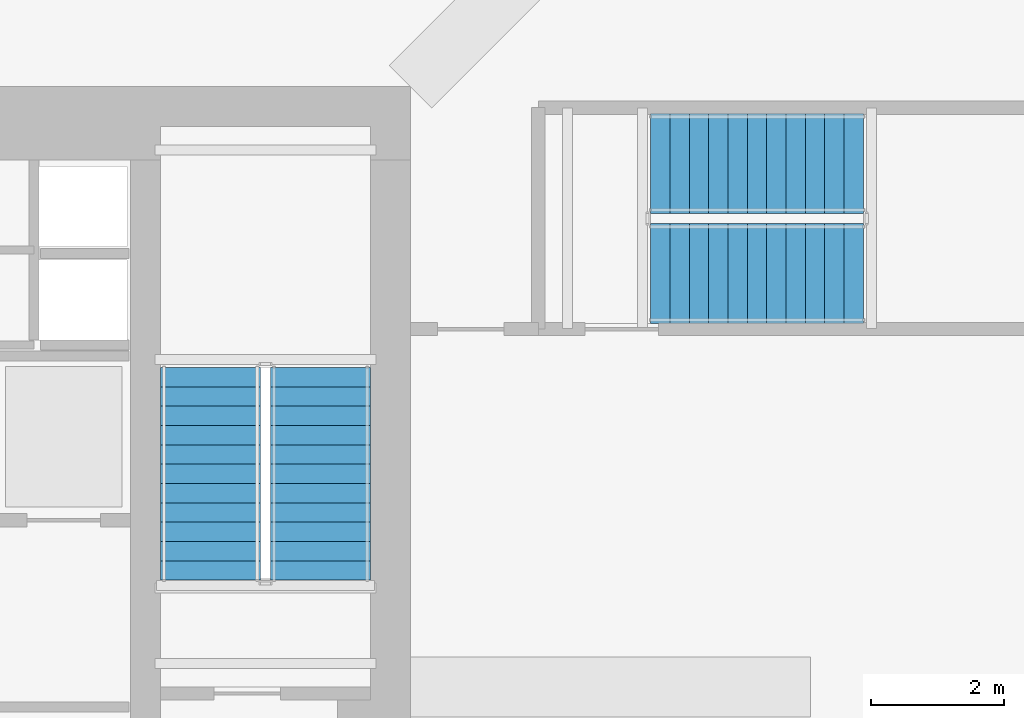
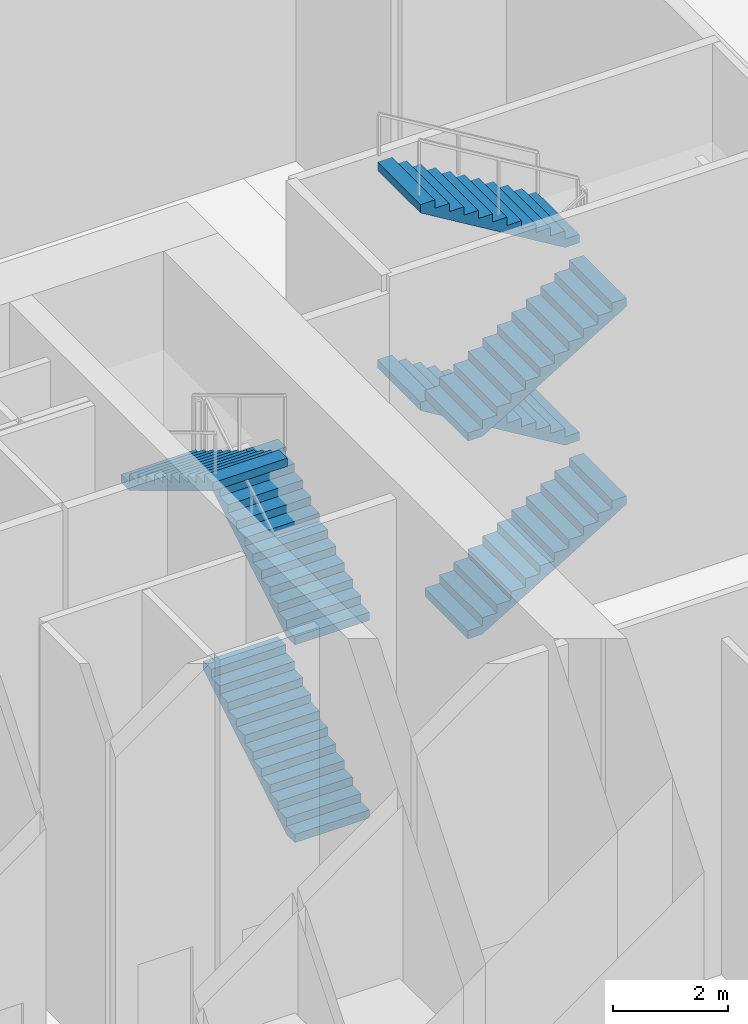
# One storey, part 9 of 12: 7 stair flights, 2 elements without a shape of their own.
"""IFC4 building model written with IfcOpenShell, lengths in metres."""

import ifcopenshell
import ifcopenshell.guid

model = None  # the IFC model being written
_history = None  # IfcOwnerHistory: only IFC2X3 demands one
_inside = {}  # id of a spatial element -> (the spatial element, [elements in it])
_under = {}  # id of a project, library or spatial element -> (it, [spatial elements below it])
_declared = {}  # id of a project -> (the project, [libraries it declares])
_typed = {}  # id of a type object -> (the type object, [elements of that type])
_made_of = {}  # id of a material, layer set ... -> (it, [elements and type objects made of it])


def new_model(schema):
    """Start an empty IFC model of exactly this schema.

    Asked for "IFC4X3", IfcOpenShell would pick the latest addendum, in which some entities
    have other attributes; the version numbers below select the first issue.
    IFC2X3 requires an IfcOwnerHistory on every rooted entity: one is made here for all.
    """
    global model, _history
    if schema == "IFC4X3":
        model = ifcopenshell.file(schema_version=(4, 3, 0, 0))
    else:
        model = ifcopenshell.file(schema=schema)
    _inside.clear()
    _under.clear()
    _declared.clear()
    _typed.clear()
    _made_of.clear()
    _history = None
    if model.schema == "IFC2X3":
        org = make("IfcOrganization", Name="unknown")
        user = make(
            "IfcPersonAndOrganization",
            ThePerson=make("IfcPerson", FamilyName="unknown"),
            TheOrganization=org,
        )
        app = make(
            "IfcApplication",
            ApplicationDeveloper=org,
            Version="unknown",
            ApplicationFullName="unknown",
            ApplicationIdentifier="unknown",
        )
        _history = make(
            "IfcOwnerHistory",
            OwningUser=user,
            OwningApplication=app,
            ChangeAction="ADDED",
            CreationDate=0,
        )
    return model


def make(cls, **values):
    """One entity of the class cls with the attributes given. An attribute that is None is left unset."""
    return model.create_entity(
        cls, **{name: value for name, value in values.items() if value is not None}
    )


def rooted(cls, **values):
    """An entity with a GlobalId (a new one), such as an element, a storey or a relation."""
    return make(cls, GlobalId=ifcopenshell.guid.new(), OwnerHistory=_history, **values)


def si_unit(unit_type, name, prefix=None):
    """IfcSIUnit, for example si_unit("LENGTHUNIT", "METRE", prefix="MILLI")."""
    return make("IfcSIUnit", UnitType=unit_type, Prefix=prefix, Name=name)


def assignment(units):
    """IfcUnitAssignment: the units of a project."""
    return None if units is None else make("IfcUnitAssignment", Units=units)


def point(xyz):
    """IfcCartesianPoint."""
    return None if xyz is None else make("IfcCartesianPoint", Coordinates=xyz)


def direction(xyz):
    """IfcDirection."""
    return None if xyz is None else make("IfcDirection", DirectionRatios=xyz)


def frame(location, z_axis=None, x_axis=None):
    """IfcAxis2Placement3D, a coordinate frame: its origin and axes. An axis left out is left unset."""
    return make(
        "IfcAxis2Placement3D",
        Location=point(location),
        Axis=direction(z_axis),
        RefDirection=direction(x_axis),
    )


def origin():
    """The frame at (0, 0, 0) with its axes left unset."""
    return frame((0.0, 0.0, 0.0))


def place(relative_to, where):
    """IfcLocalPlacement: puts the frame where relative to a parent placement (None: the world)."""
    return make(
        "IfcLocalPlacement", PlacementRelTo=relative_to, RelativePlacement=where
    )


def context(
    kind, dimensions, precision=None, world=None, true_north=None, identifier=None
):
    """IfcGeometricRepresentationContext, for example the 3D "Model" context."""
    return make(
        "IfcGeometricRepresentationContext",
        ContextIdentifier=identifier,
        ContextType=kind,
        CoordinateSpaceDimension=dimensions,
        Precision=precision,
        WorldCoordinateSystem=world,
        TrueNorth=true_north,
    )


def subcontext(parent, identifier, kind, view, scale=None):
    """IfcGeometricRepresentationSubContext, for example "Body" below "Model"."""
    return make(
        "IfcGeometricRepresentationSubContext",
        ContextIdentifier=identifier,
        ContextType=kind,
        ParentContext=parent,
        TargetScale=scale,
        TargetView=view,
    )


def project(units=None, contexts=None):
    """IfcProject with its units and contexts."""
    return rooted(
        "IfcProject",
        Name="project",
        RepresentationContexts=contexts,
        UnitsInContext=assignment(units),
    )


def spatial(cls, under=None, at=None, **own):
    """A site, building, storey or space (cls), placed at a placement, below another one or the project."""
    s = rooted(cls, ObjectPlacement=at, **own)
    if under is not None:
        _under.setdefault(under.id(), (under, []))[1].append(s)
    return s


def polyline(points):
    """IfcPolyline through the points."""
    return make("IfcPolyline", Points=[point(p) for p in points])


def outline(outer, holes=None, kind="AREA"):
    """IfcArbitraryClosedProfileDef: a profile drawn as a closed curve; with holes, ...WithVoids."""
    if holes is None:
        return make("IfcArbitraryClosedProfileDef", ProfileType=kind, OuterCurve=outer)
    return make(
        "IfcArbitraryProfileDefWithVoids",
        ProfileType=kind,
        OuterCurve=outer,
        InnerCurves=holes,
    )


def extrude(swept, where, along, depth):
    """IfcExtrudedAreaSolid: the profile swept, set in the frame where, extruded along a direction by depth."""
    return make(
        "IfcExtrudedAreaSolid",
        SweptArea=swept,
        Position=where,
        ExtrudedDirection=direction(along),
        Depth=depth,
    )


def shape(context_of_items, identifier, shape_type, items):
    """IfcShapeRepresentation: the items that make up one representation, for example the "Body"."""
    return make(
        "IfcShapeRepresentation",
        ContextOfItems=context_of_items,
        RepresentationIdentifier=identifier,
        RepresentationType=shape_type,
        Items=items,
    )


def material(Name=None, Category=None):
    """IfcMaterial."""
    return make("IfcMaterial", Name=Name, Category=Category)


def made_of(thing, what):
    """Note that an element or type object is made of a material, layer set ...; save() writes the relation."""
    if what is not None:
        _made_of.setdefault(what.id(), (what, []))[1].append(thing)
    return thing


def type_object(cls, material=None, **own):
    """A type object (cls), such as IfcWallType, which elements share."""
    return made_of(rooted(cls, **own), material)


def element(
    cls,
    number,
    at=None,
    inside=None,
    cuts=None,
    type_object=None,
    material=None,
    context=None,
    identifier="Body",
    shape_type=None,
    held_by="IfcProductDefinitionShape",
    body=None,
    shapes=None,
    **own,
):
    """One element of the class cls, such as IfcWall. Its Tag is "e" and its number.

    at: its placement. inside: the storey or other place that contains it. cuts: it is an
    opening in that element (IfcRelVoidsElement). A single representation is given by context,
    identifier, shape_type and body (its items); several are given by shapes. held_by: the class
    of the entity that holds the representations. save() writes the other relations.
    """
    e = rooted(cls, Tag="e%d" % number, ObjectPlacement=at, **own)
    if body is not None:
        shapes = [shape(context, identifier, shape_type, body)]
    if shapes is not None:
        e.Representation = make(held_by, Representations=shapes)
    if inside is not None:
        _inside.setdefault(inside.id(), (inside, []))[1].append(e)
    if cuts is not None:
        rooted(
            "IfcRelVoidsElement", RelatingBuildingElement=cuts, RelatedOpeningElement=e
        )
    if type_object is not None:
        _typed.setdefault(type_object.id(), (type_object, []))[1].append(e)
    return made_of(e, material)


def aggregate(whole, parts):
    """IfcRelAggregates: a whole, such as a stair, and the parts it consists of."""
    return rooted("IfcRelAggregates", RelatingObject=whole, RelatedObjects=parts)


def save(model, path):
    """Write the relations noted so far, then the file.

    IfcRelAggregates (storeys below a building ...), IfcRelContainedInSpatialStructure (elements
    in a storey), IfcRelDefinesByType, IfcRelAssociatesMaterial and IfcRelDeclares: one each for
    every whole, place, type object, material and project.
    """
    for whole, parts in _under.values():
        aggregate(whole, parts)
    for where, things in _inside.values():
        rooted(
            "IfcRelContainedInSpatialStructure",
            RelatedElements=things,
            RelatingStructure=where,
        )
    for kind, things in _typed.values():
        rooted("IfcRelDefinesByType", RelatedObjects=things, RelatingType=kind)
    for what, things in _made_of.values():
        rooted("IfcRelAssociatesMaterial", RelatedObjects=things, RelatingMaterial=what)
    for by, libraries in _declared.values():
        rooted("IfcRelDeclares", RelatingContext=by, RelatedDefinitions=libraries)
    model.write(path)


model = new_model("IFC4")

# Units and contexts
model_context = context("Model", 3, precision=1e-05, world=origin(), true_north=direction((0.0, 1.0)))
body_context = subcontext(model_context, "Body", "Model", "MODEL_VIEW")
ifc_project = project(units=[si_unit("LENGTHUNIT", "METRE"), si_unit("AREAUNIT", "SQUARE_METRE"), si_unit("VOLUMEUNIT", "CUBIC_METRE"), si_unit("PLANEANGLEUNIT", "RADIAN"), si_unit("MASSUNIT", "GRAM", prefix="KILO")], contexts=[model_context])

# Site, building, storey
site_placement = place(None, origin())
site = spatial("IfcSite", under=ifc_project, at=site_placement, CompositionType="ELEMENT")
building_placement = place(site_placement, origin())
building = spatial("IfcBuilding", under=site, at=building_placement, Name="Belovzor Exchange Tower", CompositionType="ELEMENT")
storey_placement = place(building_placement, origin())
storey = spatial("IfcBuildingStorey", under=building, at=storey_placement, Name="L01", CompositionType="ELEMENT", Elevation=0.0)

# Stair, stair flights
ifc_material_1 = material(Name="Concrete C40/50", Category="concrete")
stair_type_1 = type_object("IfcStairType", Name="Reinforced Concrete Podium Escape Stair 1400", PredefinedType="HALF_TURN_STAIR", material=ifc_material_1)
stair_1_placement = place(storey_placement, origin())
stair_1 = element("IfcStair", 1, at=stair_1_placement, inside=storey, type_object=stair_type_1, Name="L01 ST-4", PredefinedType="HALF_TURN_STAIR")
ifc_material_2 = material(Name="Concrete C40/50", Category="concrete")
stair_flight_type_1 = type_object("IfcStairFlightType", Name="Reinforced Concrete Podium Stair Flight 1400", PredefinedType="STRAIGHT", material=ifc_material_2)
stair_flight_1_placement = place(storey_placement, frame((41.39990234375, 35.0, 0.0), z_axis=(0.0, 0.0, 1.0), x_axis=(1.0, 0.0, 0.0)))
stair_flight_1 = element("IfcStairFlight", 2, at=stair_flight_1_placement, type_object=stair_flight_type_1, Name="ST-4 flight 1", NumberOfRisers=12, NumberOfTreads=11, PredefinedType="STRAIGHT", RiserHeight=0.175, TreadLength=0.29, context=body_context, shape_type="SweptSolid", body=[
    extrude(outline(polyline([(0.0, 0.0), (0.0, 0.175048828125), (0.2900390625, 0.175048828125), (0.2900390625, 0.35009765625), (0.580078125, 0.35009765625), (0.580078125, 0.52490234375), (0.8701171875, 0.52490234375), (0.8701171875, 0.699951171875), (1.159912109375, 0.699951171875), (1.159912109375, 0.875), (1.449951171875, 0.875), (1.449951171875, 1.050048828125), (1.739990234375, 1.050048828125), (1.739990234375, 1.22509765625), (2.030029296875, 1.22509765625), (2.030029296875, 1.39990234375), (2.320068359375, 1.39990234375), (2.320068359375, 1.574951171875), (2.610107421875, 1.574951171875), (2.610107421875, 1.75), (2.89990234375, 1.75), (2.89990234375, 1.925048828125), (3.18994140625, 1.925048828125), (3.18994140625, 2.10009765625), (3.18994140625, 1.75), (0.2900390625, 0.0), (0.0, 0.0)])), frame((0.0, 0.75, 0.0), z_axis=(0.0, -1.0, 0.0), x_axis=(1.0, 0.0, 0.0)), (0.0, 0.0, 1.0), 1.5),
])
stair_flight_2_placement = place(storey_placement, frame((44.590087890625, 36.64990234375, 2.10009765625), z_axis=(0.0, 0.0, 1.0), x_axis=(-1.0, 0.0, 0.0)))
stair_flight_2 = element("IfcStairFlight", 3, at=stair_flight_2_placement, type_object=stair_flight_type_1, Name="ST-4 flight 2", NumberOfRisers=12, NumberOfTreads=11, PredefinedType="STRAIGHT", RiserHeight=0.175, TreadLength=0.29, context=body_context, shape_type="SweptSolid", body=[
    extrude(outline(polyline([(0.0, 0.0), (0.0, 0.175048828125), (0.2900390625, 0.175048828125), (0.2900390625, 0.35009765625), (0.580078125, 0.35009765625), (0.580078125, 0.52490234375), (0.8701171875, 0.52490234375), (0.8701171875, 0.699951171875), (1.159912109375, 0.699951171875), (1.159912109375, 0.875), (1.449951171875, 0.875), (1.449951171875, 1.050048828125), (1.739990234375, 1.050048828125), (1.739990234375, 1.22509765625), (2.030029296875, 1.22509765625), (2.030029296875, 1.39990234375), (2.320068359375, 1.39990234375), (2.320068359375, 1.574951171875), (2.610107421875, 1.574951171875), (2.610107421875, 1.75), (2.89990234375, 1.75), (2.89990234375, 1.925048828125), (3.18994140625, 1.925048828125), (3.18994140625, 2.10009765625), (3.18994140625, 1.75), (0.2900390625, 0.0), (0.0, 0.0)])), frame((0.0, 0.75, 0.0), z_axis=(0.0, -1.0, 0.0), x_axis=(1.0, 0.0, 0.0)), (0.0, 0.0, 1.0), 1.5),
])
stair_flight_3_placement = place(storey_placement, frame((41.39990234375, 35.0, 4.199951171875), z_axis=(0.0, 0.0, 1.0), x_axis=(1.0, 0.0, 0.0)))
stair_flight_3 = element("IfcStairFlight", 4, at=stair_flight_3_placement, type_object=stair_flight_type_1, Name="ST-4 flight 3", NumberOfRisers=12, NumberOfTreads=11, PredefinedType="STRAIGHT", RiserHeight=0.175, TreadLength=0.29, context=body_context, shape_type="SweptSolid", body=[
    extrude(outline(polyline([(0.0, 0.0), (0.0, 0.175048828125), (0.2900390625, 0.175048828125), (0.2900390625, 0.35009765625), (0.580078125, 0.35009765625), (0.580078125, 0.52490234375), (0.8701171875, 0.52490234375), (0.8701171875, 0.699951171875), (1.159912109375, 0.699951171875), (1.159912109375, 0.875), (1.449951171875, 0.875), (1.449951171875, 1.050048828125), (1.739990234375, 1.050048828125), (1.739990234375, 1.22509765625), (2.030029296875, 1.22509765625), (2.030029296875, 1.39990234375), (2.320068359375, 1.39990234375), (2.320068359375, 1.574951171875), (2.610107421875, 1.574951171875), (2.610107421875, 1.75), (2.89990234375, 1.75), (2.89990234375, 1.925048828125), (3.18994140625, 1.925048828125), (3.18994140625, 2.10009765625), (3.18994140625, 1.75), (0.2900390625, 0.0), (0.0, 0.0)])), frame((0.0, 0.75, 0.0), z_axis=(0.0, -1.0, 0.0), x_axis=(1.0, 0.0, 0.0)), (0.0, 0.0, 1.0), 1.5),
])
stair_flight_4_placement = place(storey_placement, frame((44.590087890625, 36.64990234375, 6.300048828125), z_axis=(0.0, 0.0, 1.0), x_axis=(-1.0, 0.0, 0.0)))
stair_flight_4 = element("IfcStairFlight", 5, at=stair_flight_4_placement, type_object=stair_flight_type_1, Name="ST-4 flight 4", NumberOfRisers=12, NumberOfTreads=11, PredefinedType="STRAIGHT", RiserHeight=0.175, TreadLength=0.29, context=body_context, shape_type="SweptSolid", body=[
    extrude(outline(polyline([(0.0, 0.0), (0.0, 0.175048828125), (0.2900390625, 0.175048828125), (0.2900390625, 0.35009765625), (0.580078125, 0.35009765625), (0.580078125, 0.52490234375), (0.8701171875, 0.52490234375), (0.8701171875, 0.699951171875), (1.159912109375, 0.699951171875), (1.159912109375, 0.875), (1.449951171875, 0.875), (1.449951171875, 1.050048828125), (1.739990234375, 1.050048828125), (1.739990234375, 1.22509765625), (2.030029296875, 1.22509765625), (2.030029296875, 1.39990234375), (2.320068359375, 1.39990234375), (2.320068359375, 1.574951171875), (2.610107421875, 1.574951171875), (2.610107421875, 1.75), (2.89990234375, 1.75), (2.89990234375, 1.925048828125), (3.18994140625, 1.925048828125), (3.18994140625, 2.10009765625), (3.18994140625, 1.75), (0.2900390625, 0.0), (0.0, 0.0)])), frame((0.0, 0.75, 0.0), z_axis=(0.0, -1.0, 0.0), x_axis=(1.0, 0.0, 0.0)), (0.0, 0.0, 1.0), 1.5),
])
aggregate(stair_1, [stair_flight_1, stair_flight_2, stair_flight_3, stair_flight_4])

ifc_material_3 = material(Name="Concrete C40/50", Category="concrete")
stair_type_2 = type_object("IfcStairType", Name="Reinforced Concrete Dogleg Escape Stair 1350", PredefinedType="HALF_TURN_STAIR", material=ifc_material_3)
stair_2_placement = place(storey_placement, origin())
stair_2 = element("IfcStair", 6, at=stair_2_placement, inside=storey, type_object=stair_type_2, Name="L01 ST-2", PredefinedType="HALF_TURN_STAIR")
ifc_material_4 = material(Name="Concrete C40/50", Category="concrete")
stair_flight_type_2 = type_object("IfcStairFlightType", Name="Reinforced Concrete Stair Flight 1350", PredefinedType="STRAIGHT", material=ifc_material_4)
stair_flight_5_placement = place(storey_placement, frame((36.449951171875, 30.39990234375, 0.0), z_axis=(0.0, 0.0, 1.0), x_axis=(0.0, 1.0, 0.0)))
stair_flight_5 = element("IfcStairFlight", 7, at=stair_flight_5_placement, type_object=stair_flight_type_2, Name="ST-2 flight 1", NumberOfRisers=12, NumberOfTreads=11, PredefinedType="STRAIGHT", RiserHeight=0.175, TreadLength=0.29, context=body_context, shape_type="SweptSolid", body=[
    extrude(outline(polyline([(0.0, 0.0), (0.0, 0.175048828125), (0.2900390625, 0.175048828125), (0.2900390625, 0.35009765625), (0.580078125, 0.35009765625), (0.580078125, 0.52490234375), (0.8701171875, 0.52490234375), (0.8701171875, 0.699951171875), (1.159912109375, 0.699951171875), (1.159912109375, 0.875), (1.449951171875, 0.875), (1.449951171875, 1.050048828125), (1.739990234375, 1.050048828125), (1.739990234375, 1.22509765625), (2.030029296875, 1.22509765625), (2.030029296875, 1.39990234375), (2.320068359375, 1.39990234375), (2.320068359375, 1.574951171875), (2.610107421875, 1.574951171875), (2.610107421875, 1.75), (2.89990234375, 1.75), (2.89990234375, 1.925048828125), (3.18994140625, 1.925048828125), (3.18994140625, 2.10009765625), (3.18994140625, 1.75), (0.2900390625, 0.0), (0.0, 0.0)])), frame((0.0, 0.75, 0.0), z_axis=(0.0, -1.0, 0.0), x_axis=(1.0, 0.0, 0.0)), (0.0, 0.0, 1.0), 1.5),
])
stair_flight_6_placement = place(storey_placement, frame((36.449951171875, 30.39990234375, 4.199951171875), z_axis=(0.0, 0.0, 1.0), x_axis=(0.0, 1.0, 0.0)))
stair_flight_6 = element("IfcStairFlight", 8, at=stair_flight_6_placement, type_object=stair_flight_type_2, Name="ST-2 flight 3", NumberOfRisers=12, NumberOfTreads=11, PredefinedType="STRAIGHT", RiserHeight=0.175, TreadLength=0.29, context=body_context, shape_type="SweptSolid", body=[
    extrude(outline(polyline([(0.0, 0.0), (0.0, 0.175048828125), (0.2900390625, 0.175048828125), (0.2900390625, 0.35009765625), (0.580078125, 0.35009765625), (0.580078125, 0.52490234375), (0.8701171875, 0.52490234375), (0.8701171875, 0.699951171875), (1.159912109375, 0.699951171875), (1.159912109375, 0.875), (1.449951171875, 0.875), (1.449951171875, 1.050048828125), (1.739990234375, 1.050048828125), (1.739990234375, 1.22509765625), (2.030029296875, 1.22509765625), (2.030029296875, 1.39990234375), (2.320068359375, 1.39990234375), (2.320068359375, 1.574951171875), (2.610107421875, 1.574951171875), (2.610107421875, 1.75), (2.89990234375, 1.75), (2.89990234375, 1.925048828125), (3.18994140625, 1.925048828125), (3.18994140625, 2.10009765625), (3.18994140625, 1.75), (0.2900390625, 0.0), (0.0, 0.0)])), frame((0.0, 0.75, 0.0), z_axis=(0.0, -1.0, 0.0), x_axis=(1.0, 0.0, 0.0)), (0.0, 0.0, 1.0), 1.5),
])
stair_flight_7_placement = place(storey_placement, frame((34.800048828125, 33.590087890625, 6.300048828125), z_axis=(0.0, 0.0, 1.0), x_axis=(0.0, -1.0, 0.0)))
stair_flight_7 = element("IfcStairFlight", 9, at=stair_flight_7_placement, type_object=stair_flight_type_2, Name="ST-2 flight 4", NumberOfRisers=12, NumberOfTreads=11, PredefinedType="STRAIGHT", RiserHeight=0.175, TreadLength=0.29, context=body_context, shape_type="SweptSolid", body=[
    extrude(outline(polyline([(0.0, 0.0), (0.0, 0.175048828125), (0.2900390625, 0.175048828125), (0.2900390625, 0.35009765625), (0.580078125, 0.35009765625), (0.580078125, 0.52490234375), (0.8701171875, 0.52490234375), (0.8701171875, 0.699951171875), (1.159912109375, 0.699951171875), (1.159912109375, 0.875), (1.449951171875, 0.875), (1.449951171875, 1.050048828125), (1.739990234375, 1.050048828125), (1.739990234375, 1.22509765625), (2.030029296875, 1.22509765625), (2.030029296875, 1.39990234375), (2.320068359375, 1.39990234375), (2.320068359375, 1.574951171875), (2.610107421875, 1.574951171875), (2.610107421875, 1.75), (2.89990234375, 1.75), (2.89990234375, 1.925048828125), (3.18994140625, 1.925048828125), (3.18994140625, 2.10009765625), (3.18994140625, 1.75), (0.2900390625, 0.0), (0.0, 0.0)])), frame((0.0, 0.75, 0.0), z_axis=(0.0, -1.0, 0.0), x_axis=(1.0, 0.0, 0.0)), (0.0, 0.0, 1.0), 1.5),
])
aggregate(stair_2, [stair_flight_5, stair_flight_6, stair_flight_7])

save(model, "model.ifc")
